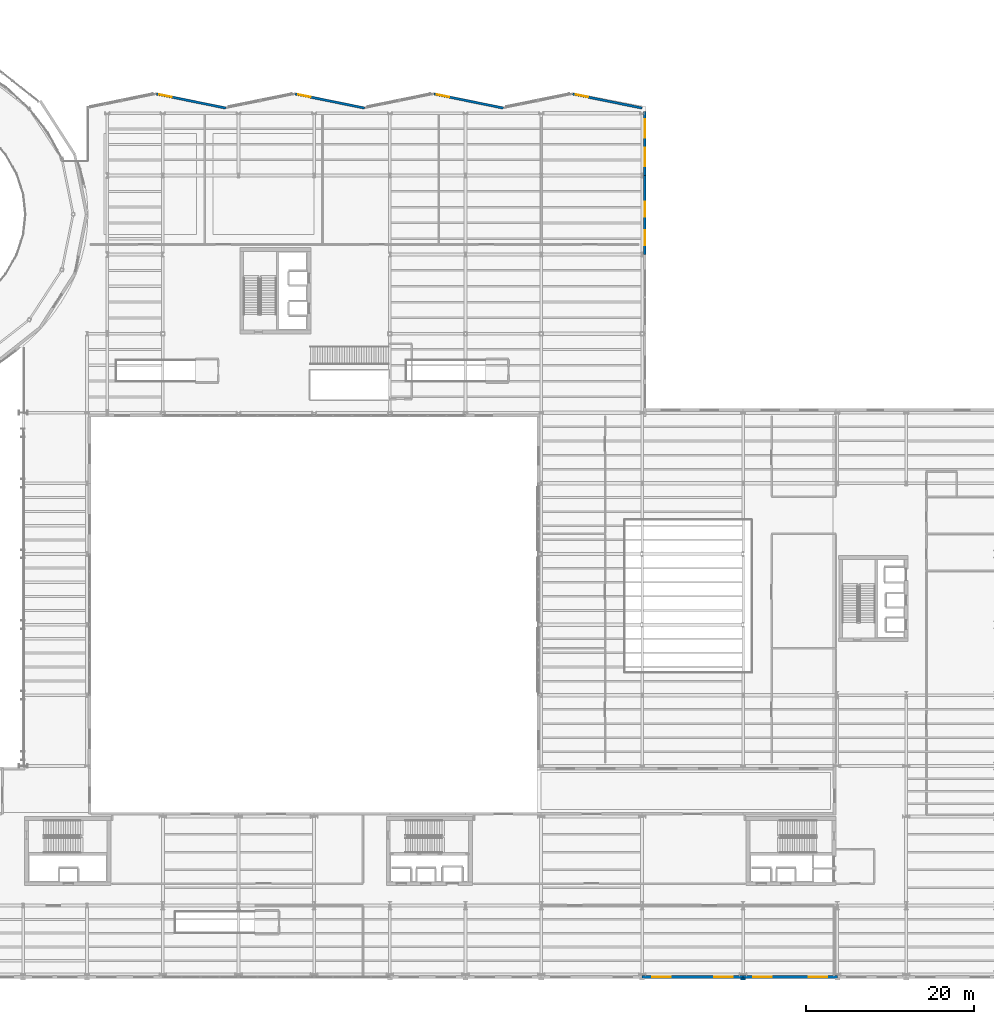
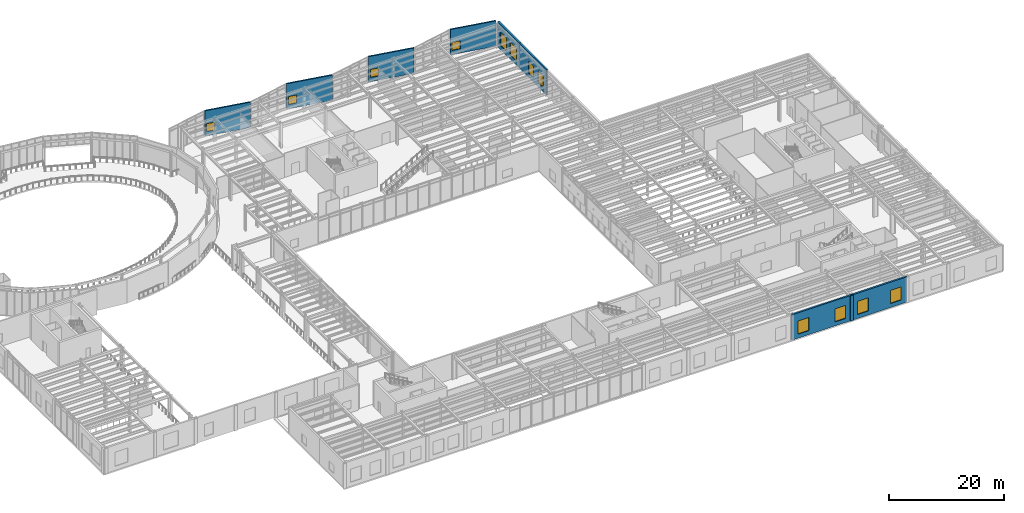
# One storey, part 80 of 98: 12 windows, 9 walls, 12 openings.
"""IFC4 building model written with IfcOpenShell, lengths in metres."""

from ifc_helpers import new_model, si_unit, direction, frame, frame_2d, origin, place, context, subcontext, project, spatial, rectangle, extrude, material, layer, layer_set, type_object, element, fill, save


model = new_model("IFC4")

# Units and contexts
model_context = context("Model", 3, precision=1e-05, world=origin(), true_north=direction((0.0, 1.0)))
body_context = subcontext(model_context, "Body", "Model", "MODEL_VIEW")
ifc_project = project(units=[si_unit("LENGTHUNIT", "METRE"), si_unit("AREAUNIT", "SQUARE_METRE"), si_unit("VOLUMEUNIT", "CUBIC_METRE"), si_unit("PLANEANGLEUNIT", "RADIAN"), si_unit("MASSUNIT", "GRAM", prefix="KILO")], contexts=[model_context])

# Site, building, storey
site_placement = place(None, origin())
site = spatial("IfcSite", under=ifc_project, at=site_placement, CompositionType="ELEMENT")
building_placement = place(site_placement, origin())
building = spatial("IfcBuilding", under=site, at=building_placement, Name="Sollismere Congress Hotel", CompositionType="ELEMENT")
storey_placement = place(building_placement, frame((0.0, 0.0, 5.39990234375)))
storey = spatial("IfcBuildingStorey", under=building, at=storey_placement, Name="L01", CompositionType="ELEMENT", Elevation=5.39990234375)

# Wall, opening, window
ifc_material_1 = material(Name="Colorado Buff Sandstone Rainscreen on Insulated Backup", Category="masonry")
ifc_layer_1 = layer(ifc_material_1, 0.284912109375, Name="Colorado Buff Sandstone Rainscreen on Insulated Backup")
ifc_layer_set_1 = layer_set([ifc_layer_1], Name="Colorado Buff Sandstone Rainscreen on Insulated Backup")
wall_type_1 = type_object("IfcWallType", Name="WL-EXT285", PredefinedType="STANDARD", material=ifc_layer_set_1)
wall_1_placement = place(storey_placement, frame((66.25, 104.698486328125, 0.0), z_axis=(0.0, 0.0, 1.0), x_axis=(0.979925045119, -0.199366260807, 0.0)))
wall_1 = element("IfcWall", 1, at=wall_1_placement, inside=storey, type_object=wall_type_1, Name="Exterior wall EW-L01-031", PredefinedType="STANDARD", context=body_context, shape_type="SweptSolid", body=[
    extrude(rectangle(XDim=8.4189453125, YDim=0.284912109375, at=frame_2d((4.20947265625, 0.0))), origin(), (0.0, 0.0, 1.0), 5.400146484375),
])
opening_1_placement = place(wall_1_placement, frame((0.35009765625, 0.0, 0.89990234375)))
opening_1 = element("IfcOpeningElement", 2, at=opening_1_placement, cuts=wall_1, Name="Opening W-L01-017", PredefinedType="OPENING", context=body_context, shape_type="SweptSolid", body=[
    extrude(rectangle(XDim=1.5, YDim=1.699951171875, at=frame_2d((0.75, 0.85009765625))), frame((0.0, 0.15234375, 0.0), z_axis=(0.0, -1.0, 0.0), x_axis=(1.0, 0.0, 0.0)), (0.0, 0.0, 1.0), 0.304931640625),
])
ifc_material_2 = material(Name="Thermally Broken Bronze Aluminum & Low-E Glass", Category="aluminium")
window_type_1 = type_object("IfcWindowType", Name="WN-P150x170", PartitioningType="SINGLE_PANEL", PredefinedType="WINDOW", material=ifc_material_2)
window_1_placement = place(opening_1_placement, origin())
window_1 = element("IfcWindow", 3, at=window_1_placement, inside=storey, type_object=window_type_1, Name="WIN-W-L01-017", OverallHeight=1.699951171875, OverallWidth=1.5, PartitioningType="SINGLE_PANEL", PredefinedType="WINDOW", context=body_context, shape_type="SweptSolid", body=[
    extrude(rectangle(XDim=1.5, YDim=1.699951171875, at=frame_2d((0.75, 0.85009765625))), frame((0.0, 0.030029296875, 0.0), z_axis=(0.0, -1.0, 0.0), x_axis=(1.0, 0.0, 0.0)), (0.0, 0.0, 1.0), 0.06005859375),
])
fill(opening_1, window_1)

wall_2_placement = place(storey_placement, frame((82.75, 104.698486328125, 0.0), z_axis=(0.0, 0.0, 1.0), x_axis=(0.979925045119, -0.199366260807, 0.0)))
wall_2 = element("IfcWall", 4, at=wall_2_placement, inside=storey, type_object=wall_type_1, Name="Exterior wall EW-L01-032", PredefinedType="STANDARD", context=body_context, shape_type="SweptSolid", body=[
    extrude(rectangle(XDim=8.4189453125, YDim=0.284912109375, at=frame_2d((4.20947265625, 0.0))), origin(), (0.0, 0.0, 1.0), 5.400146484375),
])
opening_2_placement = place(wall_2_placement, frame((0.35009765625, 0.0, 0.89990234375)))
opening_2 = element("IfcOpeningElement", 5, at=opening_2_placement, cuts=wall_2, Name="Opening W-L01-018", PredefinedType="OPENING", context=body_context, shape_type="SweptSolid", body=[
    extrude(rectangle(XDim=1.5, YDim=1.699951171875, at=frame_2d((0.75, 0.85009765625))), frame((0.0, 0.15234375, 0.0), z_axis=(0.0, -1.0, 0.0), x_axis=(1.0, 0.0, 0.0)), (0.0, 0.0, 1.0), 0.304931640625),
])
window_2_placement = place(opening_2_placement, origin())
window_2 = element("IfcWindow", 6, at=window_2_placement, inside=storey, type_object=window_type_1, Name="WIN-W-L01-018", OverallHeight=1.699951171875, OverallWidth=1.5, PartitioningType="SINGLE_PANEL", PredefinedType="WINDOW", context=body_context, shape_type="SweptSolid", body=[
    extrude(rectangle(XDim=1.5, YDim=1.699951171875, at=frame_2d((0.75, 0.85009765625))), frame((0.0, 0.030029296875, 0.0), z_axis=(0.0, -1.0, 0.0), x_axis=(1.0, 0.0, 0.0)), (0.0, 0.0, 1.0), 0.06005859375),
])
fill(opening_2, window_2)

wall_3_placement = place(storey_placement, frame((99.25, 104.698486328125, 0.0), z_axis=(0.0, 0.0, 1.0), x_axis=(0.979925045119, -0.199366260807, 0.0)))
wall_3 = element("IfcWall", 7, at=wall_3_placement, inside=storey, type_object=wall_type_1, Name="Exterior wall EW-L01-033", PredefinedType="STANDARD", context=body_context, shape_type="SweptSolid", body=[
    extrude(rectangle(XDim=8.4189453125, YDim=0.284912109375, at=frame_2d((4.20947265625, 0.0))), origin(), (0.0, 0.0, 1.0), 5.400146484375),
])
opening_3_placement = place(wall_3_placement, frame((0.35009765625, 0.0, 0.89990234375)))
opening_3 = element("IfcOpeningElement", 8, at=opening_3_placement, cuts=wall_3, Name="Opening W-L01-019", PredefinedType="OPENING", context=body_context, shape_type="SweptSolid", body=[
    extrude(rectangle(XDim=1.5, YDim=1.699951171875, at=frame_2d((0.75, 0.85009765625))), frame((0.0, 0.15234375, 0.0), z_axis=(0.0, -1.0, 0.0), x_axis=(1.0, 0.0, 0.0)), (0.0, 0.0, 1.0), 0.304931640625),
])
window_3_placement = place(opening_3_placement, origin())
window_3 = element("IfcWindow", 9, at=window_3_placement, inside=storey, type_object=window_type_1, Name="WIN-W-L01-019", OverallHeight=1.699951171875, OverallWidth=1.5, PartitioningType="SINGLE_PANEL", PredefinedType="WINDOW", context=body_context, shape_type="SweptSolid", body=[
    extrude(rectangle(XDim=1.5, YDim=1.699951171875, at=frame_2d((0.75, 0.85009765625))), frame((0.0, 0.030029296875, 0.0), z_axis=(0.0, -1.0, 0.0), x_axis=(1.0, 0.0, 0.0)), (0.0, 0.0, 1.0), 0.06005859375),
])
fill(opening_3, window_3)

wall_4_placement = place(storey_placement, frame((115.75, 104.698486328125, 0.0), z_axis=(0.0, 0.0, 1.0), x_axis=(0.979925045119, -0.199366260807, 0.0)))
wall_4 = element("IfcWall", 10, at=wall_4_placement, inside=storey, type_object=wall_type_1, Name="Exterior wall EW-L01-034", PredefinedType="STANDARD", context=body_context, shape_type="SweptSolid", body=[
    extrude(rectangle(XDim=8.4189453125, YDim=0.284912109375, at=frame_2d((4.20947265625, 0.0))), origin(), (0.0, 0.0, 1.0), 5.400146484375),
])
opening_4_placement = place(wall_4_placement, frame((0.35009765625, 0.0, 0.89990234375)))
opening_4 = element("IfcOpeningElement", 11, at=opening_4_placement, cuts=wall_4, Name="Opening W-L01-020", PredefinedType="OPENING", context=body_context, shape_type="SweptSolid", body=[
    extrude(rectangle(XDim=1.5, YDim=1.699951171875, at=frame_2d((0.75, 0.85009765625))), frame((0.0, 0.15234375, 0.0), z_axis=(0.0, -1.0, 0.0), x_axis=(1.0, 0.0, 0.0)), (0.0, 0.0, 1.0), 0.304931640625),
])
window_4_placement = place(opening_4_placement, origin())
window_4 = element("IfcWindow", 12, at=window_4_placement, inside=storey, type_object=window_type_1, Name="WIN-W-L01-020", OverallHeight=1.699951171875, OverallWidth=1.5, PartitioningType="SINGLE_PANEL", PredefinedType="WINDOW", context=body_context, shape_type="SweptSolid", body=[
    extrude(rectangle(XDim=1.5, YDim=1.699951171875, at=frame_2d((0.75, 0.85009765625))), frame((0.0, 0.030029296875, 0.0), z_axis=(0.0, -1.0, 0.0), x_axis=(1.0, 0.0, 0.0)), (0.0, 0.0, 1.0), 0.06005859375),
])
fill(opening_4, window_4)

# Wall, openings, windows
ifc_material_3 = material(Name="Colorado Buff Sandstone and Limestone Backup C40/50", Category="masonry")
ifc_layer_2 = layer(ifc_material_3, 0.340087890625, Name="Colorado Buff Sandstone and Limestone Backup C40/50")
ifc_layer_set_2 = layer_set([ifc_layer_2], Name="Colorado Buff Sandstone and Limestone Backup C40/50")
wall_type_2 = type_object("IfcWallType", Name="WL-EXT340", PredefinedType="STANDARD", material=ifc_layer_set_2)
wall_5_placement = place(storey_placement, frame((124.31005859375, 85.60009765625, 0.0), z_axis=(0.0, 0.0, 1.0), x_axis=(0.0, 1.0, 0.0)))
wall_5 = element("IfcWall", 13, at=wall_5_placement, inside=storey, type_object=wall_type_2, Name="Exterior wall EW-L01-037", PredefinedType="STANDARD", context=body_context, shape_type="SweptSolid", body=[
    extrude(rectangle(XDim=9.39990234375, YDim=0.340087890625, at=frame_2d((4.699951171875, 0.0))), origin(), (0.0, 0.0, 1.0), 5.400146484375),
])
opening_5_placement = place(wall_5_placement, frame((1.10009765625, 0.0, 0.85009765625)))
opening_5 = element("IfcOpeningElement", 14, at=opening_5_placement, cuts=wall_5, Name="Opening W-L01-025", PredefinedType="OPENING", context=body_context, shape_type="SweptSolid", body=[
    extrude(rectangle(XDim=1.800048828125, YDim=2.60009765625, at=frame_2d((0.89990234375, 1.300048828125))), frame((0.0, 0.179931640625, 0.0), z_axis=(0.0, -1.0, 0.0), x_axis=(1.0, 0.0, 0.0)), (0.0, 0.0, 1.0), 0.360107421875),
])
opening_6_placement = place(wall_5_placement, frame((4.5, 0.0, 0.85009765625)))
opening_6 = element("IfcOpeningElement", 15, at=opening_6_placement, cuts=wall_5, Name="Opening W-L01-026", PredefinedType="OPENING", context=body_context, shape_type="SweptSolid", body=[
    extrude(rectangle(XDim=1.800048828125, YDim=2.60009765625, at=frame_2d((0.89990234375, 1.300048828125))), frame((0.0, 0.179931640625, 0.0), z_axis=(0.0, -1.0, 0.0), x_axis=(1.0, 0.0, 0.0)), (0.0, 0.0, 1.0), 0.360107421875),
])
window_type_2 = type_object("IfcWindowType", Name="WN-A180x260", PartitioningType="SINGLE_PANEL", PredefinedType="WINDOW", material=ifc_material_2)
window_5_placement = place(opening_5_placement, origin())
window_5 = element("IfcWindow", 16, at=window_5_placement, inside=storey, type_object=window_type_2, Name="WIN-W-L01-025", OverallHeight=2.60009765625, OverallWidth=1.800048828125, PartitioningType="SINGLE_PANEL", PredefinedType="WINDOW", context=body_context, shape_type="SweptSolid", body=[
    extrude(rectangle(XDim=1.800048828125, YDim=2.60009765625, at=frame_2d((0.89990234375, 1.300048828125))), frame((0.0, 0.030029296875, 0.0), z_axis=(0.0, -1.0, 0.0), x_axis=(1.0, 0.0, 0.0)), (0.0, 0.0, 1.0), 0.06005859375),
])
fill(opening_5, window_5)
window_6_placement = place(opening_6_placement, origin())
window_6 = element("IfcWindow", 17, at=window_6_placement, inside=storey, type_object=window_type_2, Name="WIN-W-L01-026", OverallHeight=2.60009765625, OverallWidth=1.800048828125, PartitioningType="SINGLE_PANEL", PredefinedType="WINDOW", context=body_context, shape_type="SweptSolid", body=[
    extrude(rectangle(XDim=1.800048828125, YDim=2.60009765625, at=frame_2d((0.89990234375, 1.300048828125))), frame((0.0, 0.030029296875, 0.0), z_axis=(0.0, -1.0, 0.0), x_axis=(1.0, 0.0, 0.0)), (0.0, 0.0, 1.0), 0.06005859375),
])
fill(opening_6, window_6)

wall_6_placement = place(storey_placement, frame((124.31005859375, 95.0, 0.0), z_axis=(0.0, 0.0, 1.0), x_axis=(0.0, 1.0, 0.0)))
wall_6 = element("IfcWall", 18, at=wall_6_placement, inside=storey, type_object=wall_type_2, Name="Exterior wall EW-L01-038", PredefinedType="STANDARD", context=body_context, shape_type="SweptSolid", body=[
    extrude(rectangle(XDim=7.60009765625, YDim=0.340087890625, at=frame_2d((3.800048828125, 0.0))), origin(), (0.0, 0.0, 1.0), 5.400146484375),
])
opening_7_placement = place(wall_6_placement, frame((1.10009765625, 0.0, 0.85009765625)))
opening_7 = element("IfcOpeningElement", 19, at=opening_7_placement, cuts=wall_6, Name="Opening W-L01-027", PredefinedType="OPENING", context=body_context, shape_type="SweptSolid", body=[
    extrude(rectangle(XDim=2.199951171875, YDim=2.800048828125, at=frame_2d((1.10009765625, 1.39990234375))), frame((0.0, 0.179931640625, 0.0), z_axis=(0.0, -1.0, 0.0), x_axis=(1.0, 0.0, 0.0)), (0.0, 0.0, 1.0), 0.360107421875),
])
opening_8_placement = place(wall_6_placement, frame((4.5, 0.0, 0.85009765625)))
opening_8 = element("IfcOpeningElement", 20, at=opening_8_placement, cuts=wall_6, Name="Opening W-L01-028", PredefinedType="OPENING", context=body_context, shape_type="SweptSolid", body=[
    extrude(rectangle(XDim=2.199951171875, YDim=2.800048828125, at=frame_2d((1.10009765625, 1.39990234375))), frame((0.0, 0.179931640625, 0.0), z_axis=(0.0, -1.0, 0.0), x_axis=(1.0, 0.0, 0.0)), (0.0, 0.0, 1.0), 0.360107421875),
])
window_type_3 = type_object("IfcWindowType", Name="WN-A220x280", PartitioningType="SINGLE_PANEL", PredefinedType="WINDOW", material=ifc_material_2)
window_7_placement = place(opening_7_placement, origin())
window_7 = element("IfcWindow", 21, at=window_7_placement, inside=storey, type_object=window_type_3, Name="WIN-W-L01-027", OverallHeight=2.800048828125, OverallWidth=2.199951171875, PartitioningType="SINGLE_PANEL", PredefinedType="WINDOW", context=body_context, shape_type="SweptSolid", body=[
    extrude(rectangle(XDim=2.199951171875, YDim=2.800048828125, at=frame_2d((1.10009765625, 1.39990234375))), frame((0.0, 0.030029296875, 0.0), z_axis=(0.0, -1.0, 0.0), x_axis=(1.0, 0.0, 0.0)), (0.0, 0.0, 1.0), 0.06005859375),
])
fill(opening_7, window_7)
window_8_placement = place(opening_8_placement, origin())
window_8 = element("IfcWindow", 22, at=window_8_placement, inside=storey, type_object=window_type_3, Name="WIN-W-L01-028", OverallHeight=2.800048828125, OverallWidth=2.199951171875, PartitioningType="SINGLE_PANEL", PredefinedType="WINDOW", context=body_context, shape_type="SweptSolid", body=[
    extrude(rectangle(XDim=2.199951171875, YDim=2.800048828125, at=frame_2d((1.10009765625, 1.39990234375))), frame((0.0, 0.030029296875, 0.0), z_axis=(0.0, -1.0, 0.0), x_axis=(1.0, 0.0, 0.0)), (0.0, 0.0, 1.0), 0.06005859375),
])
fill(opening_8, window_8)

wall_7_placement = place(storey_placement, frame((124.0, -0.31005859375, 0.0), z_axis=(0.0, 0.0, 1.0), x_axis=(1.0, 0.0, 0.0)))
wall_7 = element("IfcWall", 23, at=wall_7_placement, inside=storey, type_object=wall_type_2, Name="Exterior wall EW-L01-287", PredefinedType="STANDARD", context=body_context, shape_type="SweptSolid", body=[
    extrude(rectangle(XDim=12.0, YDim=0.340087890625, at=frame_2d((6.0, 0.0))), origin(), (0.0, 0.0, 1.0), 5.400146484375),
])
opening_9_placement = place(wall_7_placement, frame((1.199951171875, 0.0, 0.85009765625)))
opening_9 = element("IfcOpeningElement", 24, at=opening_9_placement, cuts=wall_7, Name="Opening W-L01-232", PredefinedType="OPENING", context=body_context, shape_type="SweptSolid", body=[
    extrude(rectangle(XDim=2.199951171875, YDim=2.800048828125, at=frame_2d((1.10009765625, 1.39990234375))), frame((0.0, 0.179931640625, 0.0), z_axis=(0.0, -1.0, 0.0), x_axis=(1.0, 0.0, 0.0)), (0.0, 0.0, 1.0), 0.360107421875),
])
opening_10_placement = place(wall_7_placement, frame((8.60009765625, 0.0, 0.85009765625)))
opening_10 = element("IfcOpeningElement", 25, at=opening_10_placement, cuts=wall_7, Name="Opening W-L01-233", PredefinedType="OPENING", context=body_context, shape_type="SweptSolid", body=[
    extrude(rectangle(XDim=2.199951171875, YDim=2.800048828125, at=frame_2d((1.10009765625, 1.39990234375))), frame((0.0, 0.179931640625, 0.0), z_axis=(0.0, -1.0, 0.0), x_axis=(1.0, 0.0, 0.0)), (0.0, 0.0, 1.0), 0.360107421875),
])
window_9_placement = place(opening_9_placement, origin())
window_9 = element("IfcWindow", 26, at=window_9_placement, inside=storey, type_object=window_type_3, Name="WIN-W-L01-232", OverallHeight=2.800048828125, OverallWidth=2.199951171875, PartitioningType="SINGLE_PANEL", PredefinedType="WINDOW", context=body_context, shape_type="SweptSolid", body=[
    extrude(rectangle(XDim=2.199951171875, YDim=2.800048828125, at=frame_2d((1.10009765625, 1.39990234375))), frame((0.0, 0.030029296875, 0.0), z_axis=(0.0, -1.0, 0.0), x_axis=(1.0, 0.0, 0.0)), (0.0, 0.0, 1.0), 0.06005859375),
])
fill(opening_9, window_9)
window_10_placement = place(opening_10_placement, origin())
window_10 = element("IfcWindow", 27, at=window_10_placement, inside=storey, type_object=window_type_3, Name="WIN-W-L01-233", OverallHeight=2.800048828125, OverallWidth=2.199951171875, PartitioningType="SINGLE_PANEL", PredefinedType="WINDOW", context=body_context, shape_type="SweptSolid", body=[
    extrude(rectangle(XDim=2.199951171875, YDim=2.800048828125, at=frame_2d((1.10009765625, 1.39990234375))), frame((0.0, 0.030029296875, 0.0), z_axis=(0.0, -1.0, 0.0), x_axis=(1.0, 0.0, 0.0)), (0.0, 0.0, 1.0), 0.06005859375),
])
fill(opening_10, window_10)

wall_8_placement = place(storey_placement, frame((136.0, -0.31005859375, 0.0), z_axis=(0.0, 0.0, 1.0), x_axis=(1.0, 0.0, 0.0)))
wall_8 = element("IfcWall", 28, at=wall_8_placement, inside=storey, type_object=wall_type_2, Name="Exterior wall EW-L01-289", PredefinedType="STANDARD", context=body_context, shape_type="SweptSolid", body=[
    extrude(rectangle(XDim=11.199951171875, YDim=0.340087890625, at=frame_2d((5.60009765625, 0.0))), origin(), (0.0, 0.0, 1.0), 5.400146484375),
])
opening_11_placement = place(wall_8_placement, frame((1.199951171875, 0.0, 0.85009765625)))
opening_11 = element("IfcOpeningElement", 29, at=opening_11_placement, cuts=wall_8, Name="Opening W-L01-234", PredefinedType="OPENING", context=body_context, shape_type="SweptSolid", body=[
    extrude(rectangle(XDim=2.199951171875, YDim=2.800048828125, at=frame_2d((1.10009765625, 1.39990234375))), frame((0.0, 0.179931640625, 0.0), z_axis=(0.0, -1.0, 0.0), x_axis=(1.0, 0.0, 0.0)), (0.0, 0.0, 1.0), 0.360107421875),
])
opening_12_placement = place(wall_8_placement, frame((7.800048828125, 0.0, 0.85009765625)))
opening_12 = element("IfcOpeningElement", 30, at=opening_12_placement, cuts=wall_8, Name="Opening W-L01-235", PredefinedType="OPENING", context=body_context, shape_type="SweptSolid", body=[
    extrude(rectangle(XDim=2.199951171875, YDim=2.800048828125, at=frame_2d((1.10009765625, 1.39990234375))), frame((0.0, 0.179931640625, 0.0), z_axis=(0.0, -1.0, 0.0), x_axis=(1.0, 0.0, 0.0)), (0.0, 0.0, 1.0), 0.360107421875),
])
window_11_placement = place(opening_11_placement, origin())
window_11 = element("IfcWindow", 31, at=window_11_placement, inside=storey, type_object=window_type_3, Name="WIN-W-L01-234", OverallHeight=2.800048828125, OverallWidth=2.199951171875, PartitioningType="SINGLE_PANEL", PredefinedType="WINDOW", context=body_context, shape_type="SweptSolid", body=[
    extrude(rectangle(XDim=2.199951171875, YDim=2.800048828125, at=frame_2d((1.10009765625, 1.39990234375))), frame((0.0, 0.030029296875, 0.0), z_axis=(0.0, -1.0, 0.0), x_axis=(1.0, 0.0, 0.0)), (0.0, 0.0, 1.0), 0.06005859375),
])
fill(opening_11, window_11)
window_12_placement = place(opening_12_placement, origin())
window_12 = element("IfcWindow", 32, at=window_12_placement, inside=storey, type_object=window_type_3, Name="WIN-W-L01-235", OverallHeight=2.800048828125, OverallWidth=2.199951171875, PartitioningType="SINGLE_PANEL", PredefinedType="WINDOW", context=body_context, shape_type="SweptSolid", body=[
    extrude(rectangle(XDim=2.199951171875, YDim=2.800048828125, at=frame_2d((1.10009765625, 1.39990234375))), frame((0.0, 0.030029296875, 0.0), z_axis=(0.0, -1.0, 0.0), x_axis=(1.0, 0.0, 0.0)), (0.0, 0.0, 1.0), 0.06005859375),
])
fill(opening_12, window_12)

# Wall
ifc_material_4 = material(Name="Carved Travertine Pilaster & Frieze Assembly", Category="masonry")
ifc_layer_3 = layer(ifc_material_4, 0.260009765625, Name="Carved Travertine Pilaster & Frieze Assembly")
ifc_layer_set_3 = layer_set([ifc_layer_3], Name="Carved Travertine Pilaster & Frieze Assembly")
wall_type_3 = type_object("IfcWallType", Name="WL-PIL280", PredefinedType="ELEMENTEDWALL", material=ifc_layer_set_3)
wall_9_placement = place(storey_placement, frame((135.699951171875, -0.52001953125, 0.0), z_axis=(0.0, 0.0, 1.0), x_axis=(1.0, 0.0, 0.0)))
element("IfcWall", 33, at=wall_9_placement, inside=storey, type_object=wall_type_3, Name="Exterior wall EW-L01-290", PredefinedType="ELEMENTEDWALL", context=body_context, shape_type="SweptSolid", body=[
    extrude(rectangle(XDim=0.60009765625, YDim=0.260009765625, at=frame_2d((0.300048828125, 0.0))), origin(), (0.0, 0.0, 1.0), 5.400146484375),
])

save(model, "model.ifc")
